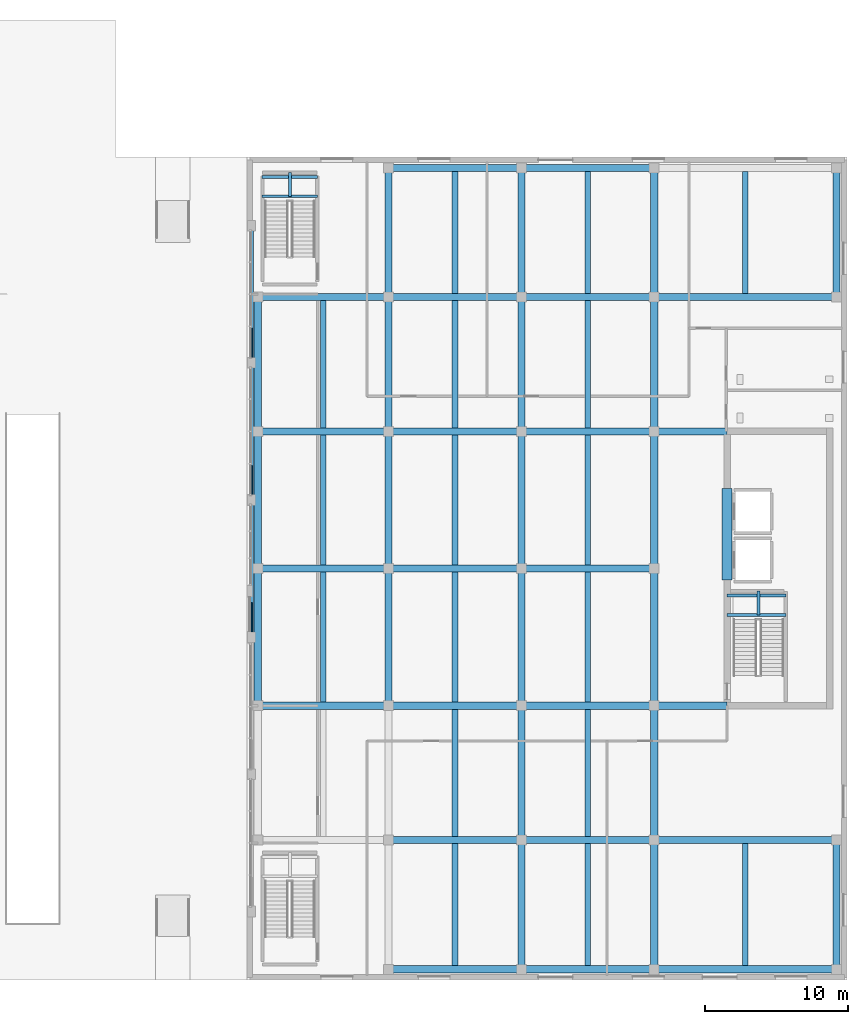
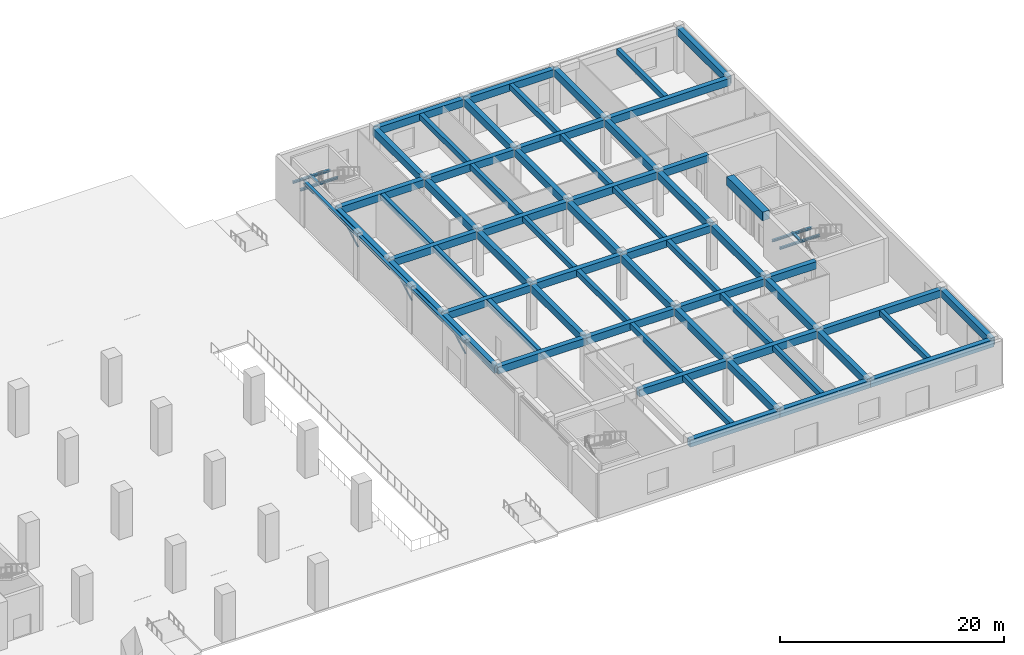
# One storey, part 2 of 24: 71 beams, 3 members.
"""IFC4 building model written with IfcOpenShell, lengths in metres."""

from ifc_helpers import new_model, si_unit, direction, frame, origin, origin_2d, place, context, subcontext, project, spatial, rectangle, hollow_circle, i_section, extrude, material, material_profile, profile_set, type_object, element, save


model = new_model("IFC4")

# Units and contexts
model_context = context("Model", 3, precision=1e-05, world=origin(), true_north=direction((0.0, 1.0)))
body_context = subcontext(model_context, "Body", "Model", "MODEL_VIEW")
ifc_project = project(units=[si_unit("LENGTHUNIT", "METRE"), si_unit("AREAUNIT", "SQUARE_METRE"), si_unit("VOLUMEUNIT", "CUBIC_METRE"), si_unit("PLANEANGLEUNIT", "RADIAN"), si_unit("MASSUNIT", "GRAM", prefix="KILO")], contexts=[model_context])

# Site, building, storey
site_placement = place(None, origin())
site = spatial("IfcSite", under=ifc_project, at=site_placement, CompositionType="ELEMENT")
building_placement = place(site_placement, origin())
building = spatial("IfcBuilding", under=site, at=building_placement, Name="Norrvale University Quadrangle", CompositionType="ELEMENT")
storey_placement = place(building_placement, origin())
storey = spatial("IfcBuildingStorey", under=building, at=storey_placement, Name="L00", CompositionType="ELEMENT", Elevation=0.0)

# Beams
ifc_material_1 = material(Name="Steel 350W", Category="steel")
ifc_material_profile_1 = material_profile(ifc_material_1, i_section(OverallWidth=0.304931640625, OverallDepth=0.30810546875, WebThickness=0.010009765625, FlangeThickness=0.015380859375, FilletRadius=0.014892578125, at=origin_2d()), Name="Steel 350W")
ifc_profile_set_1 = profile_set([ifc_material_profile_1], Name="Steel 350W")
beam_type_1 = type_object("IfcBeamType", Name="Beam Canopy W310x97", PredefinedType="BEAM", material=ifc_profile_set_1)
beam_1_placement = place(storey_placement, frame((85.5, 24.0, 4.696044921875), z_axis=(0.0, 1.0, 0.0), x_axis=(-1.0, 0.0, 0.0)))
element("IfcBeam", 1, at=beam_1_placement, inside=storey, type_object=beam_type_1, Name="Library Colonnade Header Beam 03", PredefinedType="BEAM", context=body_context, shape_type="SweptSolid", body=[
    extrude(i_section(OverallWidth=0.304931640625, OverallDepth=0.30810546875, WebThickness=0.010009765625, FlangeThickness=0.015380859375, FilletRadius=0.014892578125, at=origin_2d()), origin(), (0.0, 0.0, 1.0), 9.60009765625),
])
beam_2_placement = place(storey_placement, frame((85.5, 33.60009765625, 4.696044921875), z_axis=(0.0, 1.0, 0.0), x_axis=(-1.0, 0.0, 0.0)))
element("IfcBeam", 2, at=beam_2_placement, inside=storey, type_object=beam_type_1, Name="Library Colonnade Header Beam 04", PredefinedType="BEAM", context=body_context, shape_type="SweptSolid", body=[
    extrude(i_section(OverallWidth=0.304931640625, OverallDepth=0.30810546875, WebThickness=0.010009765625, FlangeThickness=0.015380859375, FilletRadius=0.014892578125, at=origin_2d()), origin(), (0.0, 0.0, 1.0), 9.599853515625),
])
beam_3_placement = place(storey_placement, frame((85.5, 43.199951171875, 4.696044921875), z_axis=(0.0, 1.0, 0.0), x_axis=(-1.0, 0.0, 0.0)))
element("IfcBeam", 3, at=beam_3_placement, inside=storey, type_object=beam_type_1, Name="Library Colonnade Header Beam 05", PredefinedType="BEAM", context=body_context, shape_type="SweptSolid", body=[
    extrude(i_section(OverallWidth=0.304931640625, OverallDepth=0.30810546875, WebThickness=0.010009765625, FlangeThickness=0.015380859375, FilletRadius=0.014892578125, at=origin_2d()), origin(), (0.0, 0.0, 1.0), 9.60009765625),
])
ifc_material_2 = material(Name="Concrete C80/95", Category="concrete")
ifc_material_profile_2 = material_profile(ifc_material_2, rectangle(XDim=0.699951171875, YDim=0.949951171875, at=origin_2d()), Name="Concrete C80/95")
ifc_profile_set_2 = profile_set([ifc_material_profile_2], Name="Concrete C80/95")
beam_type_2 = type_object("IfcBeamType", Name="Beam Core Link 700x950", PredefinedType="LINTEL", material=ifc_profile_set_2)
beam_4_placement = place(storey_placement, frame((118.800048828125, 28.0, 4.375), z_axis=(0.0, 1.0, 0.0), x_axis=(-1.0, 0.0, 0.0)))
element("IfcBeam", 4, at=beam_4_placement, inside=storey, type_object=beam_type_2, Name="Library Core Coupling Lintel L00", PredefinedType="LINTEL", context=body_context, shape_type="SweptSolid", body=[
    extrude(rectangle(XDim=0.699951171875, YDim=0.949951171875, at=origin_2d()), origin(), (0.0, 0.0, 1.0), 6.39990234375),
])
ifc_material_3 = material(Name="Concrete C60/75", Category="concrete")
ifc_material_profile_3 = material_profile(ifc_material_3, rectangle(XDim=0.39990234375, YDim=0.60009765625, at=origin_2d()), Name="Concrete C60/75")
ifc_profile_set_3 = profile_set([ifc_material_profile_3], Name="Concrete C60/75")
beam_type_3 = type_object("IfcBeamType", Name="Beam Lib 400x600", PredefinedType="JOIST", material=ifc_profile_set_3)
beam_5_placement = place(storey_placement, frame((90.52490234375, 19.449951171875, 4.550048828125), z_axis=(0.0, 1.0, 0.0), x_axis=(-1.0, 0.0, 0.0)))
element("IfcBeam", 5, at=beam_5_placement, inside=storey, type_object=beam_type_3, Name="Beam Lib 400x600 BM-L00-LJ049", PredefinedType="JOIST", context=body_context, shape_type="SweptSolid", body=[
    extrude(rectangle(XDim=0.39990234375, YDim=0.60009765625, at=origin_2d()), origin(), (0.0, 0.0, 1.0), 9.10009765625),
])
beam_6_placement = place(storey_placement, frame((90.52490234375, 29.050048828125, 4.550048828125), z_axis=(0.0, 1.0, 0.0), x_axis=(-1.0, 0.0, 0.0)))
element("IfcBeam", 6, at=beam_6_placement, inside=storey, type_object=beam_type_3, Name="Beam Lib 400x600 BM-L00-LJ050", PredefinedType="JOIST", context=body_context, shape_type="SweptSolid", body=[
    extrude(rectangle(XDim=0.39990234375, YDim=0.60009765625, at=origin_2d()), origin(), (0.0, 0.0, 1.0), 9.099853515625),
])
beam_7_placement = place(storey_placement, frame((90.52490234375, 38.64990234375, 4.550048828125), z_axis=(0.0, 1.0, 0.0), x_axis=(-1.0, 0.0, 0.0)))
element("IfcBeam", 7, at=beam_7_placement, inside=storey, type_object=beam_type_3, Name="Beam Lib 400x600 BM-L00-LJ051", PredefinedType="JOIST", context=body_context, shape_type="SweptSolid", body=[
    extrude(rectangle(XDim=0.39990234375, YDim=0.60009765625, at=origin_2d()), origin(), (0.0, 0.0, 1.0), 8.900146484375),
])
beam_8_placement = place(storey_placement, frame((99.75, 1.0, 4.550048828125), z_axis=(0.0, 1.0, 0.0), x_axis=(-1.0, 0.0, 0.0)))
element("IfcBeam", 8, at=beam_8_placement, inside=storey, type_object=beam_type_3, Name="Beam Lib 400x600 BM-L00-LJ052", PredefinedType="JOIST", context=body_context, shape_type="SweptSolid", body=[
    extrude(rectangle(XDim=0.39990234375, YDim=0.60009765625, at=origin_2d()), origin(), (0.0, 0.0, 1.0), 8.550048828125),
])
beam_9_placement = place(storey_placement, frame((99.75, 10.050048828125, 4.550048828125), z_axis=(0.0, 1.0, 0.0), x_axis=(-1.0, 0.0, 0.0)))
element("IfcBeam", 9, at=beam_9_placement, inside=storey, type_object=beam_type_3, Name="Beam Lib 400x600 BM-L00-LJ053", PredefinedType="JOIST", context=body_context, shape_type="SweptSolid", body=[
    extrude(rectangle(XDim=0.39990234375, YDim=0.60009765625, at=origin_2d()), origin(), (0.0, 0.0, 1.0), 8.89990234375),
])
beam_10_placement = place(storey_placement, frame((99.75, 19.449951171875, 4.550048828125), z_axis=(0.0, 1.0, 0.0), x_axis=(-1.0, 0.0, 0.0)))
element("IfcBeam", 10, at=beam_10_placement, inside=storey, type_object=beam_type_3, Name="Beam Lib 400x600 BM-L00-LJ054", PredefinedType="JOIST", context=body_context, shape_type="SweptSolid", body=[
    extrude(rectangle(XDim=0.39990234375, YDim=0.60009765625, at=origin_2d()), origin(), (0.0, 0.0, 1.0), 9.10009765625),
])
beam_11_placement = place(storey_placement, frame((99.75, 29.050048828125, 4.550048828125), z_axis=(0.0, 1.0, 0.0), x_axis=(-1.0, 0.0, 0.0)))
element("IfcBeam", 11, at=beam_11_placement, inside=storey, type_object=beam_type_3, Name="Beam Lib 400x600 BM-L00-LJ055", PredefinedType="JOIST", context=body_context, shape_type="SweptSolid", body=[
    extrude(rectangle(XDim=0.39990234375, YDim=0.60009765625, at=origin_2d()), origin(), (0.0, 0.0, 1.0), 9.099853515625),
])
beam_12_placement = place(storey_placement, frame((99.75, 38.64990234375, 4.550048828125), z_axis=(0.0, 1.0, 0.0), x_axis=(-1.0, 0.0, 0.0)))
element("IfcBeam", 12, at=beam_12_placement, inside=storey, type_object=beam_type_3, Name="Beam Lib 400x600 BM-L00-LJ056", PredefinedType="JOIST", context=body_context, shape_type="SweptSolid", body=[
    extrude(rectangle(XDim=0.39990234375, YDim=0.60009765625, at=origin_2d()), origin(), (0.0, 0.0, 1.0), 8.900146484375),
])
for number, where, z_axis, x_axis, name in (
    (13, (99.75, 48.050048828125, 4.550048828125), (0.0, 1.0, 0.0), (-1.0, 0.0, 0.0), "Beam Lib 400x600 BM-L00-LJ057"),
    (14, (109.050048828125, 1.0, 4.550048828125), (0.0, 1.0, 0.0), (-1.0, 0.0, 0.0), "Beam Lib 400x600 BM-L00-LJ058"),
):
    element("IfcBeam", number, at=place(storey_placement, frame(where, z_axis=z_axis, x_axis=x_axis)), inside=storey, type_object=beam_type_3, Name=name, PredefinedType="JOIST", context=body_context, shape_type="SweptSolid", body=[
        extrude(rectangle(XDim=0.39990234375, YDim=0.60009765625, at=origin_2d()), origin(), (0.0, 0.0, 1.0), 8.550048828125),
    ])
beam_13_placement = place(storey_placement, frame((109.050048828125, 10.050048828125, 4.550048828125), z_axis=(0.0, 1.0, 0.0), x_axis=(-1.0, 0.0, 0.0)))
element("IfcBeam", 15, at=beam_13_placement, inside=storey, type_object=beam_type_3, Name="Beam Lib 400x600 BM-L00-LJ059", PredefinedType="JOIST", context=body_context, shape_type="SweptSolid", body=[
    extrude(rectangle(XDim=0.39990234375, YDim=0.60009765625, at=origin_2d()), origin(), (0.0, 0.0, 1.0), 8.89990234375),
])
beam_14_placement = place(storey_placement, frame((109.050048828125, 19.449951171875, 4.550048828125), z_axis=(0.0, 1.0, 0.0), x_axis=(-1.0, 0.0, 0.0)))
element("IfcBeam", 16, at=beam_14_placement, inside=storey, type_object=beam_type_3, Name="Beam Lib 400x600 BM-L00-LJ060", PredefinedType="JOIST", context=body_context, shape_type="SweptSolid", body=[
    extrude(rectangle(XDim=0.39990234375, YDim=0.60009765625, at=origin_2d()), origin(), (0.0, 0.0, 1.0), 9.10009765625),
])
beam_15_placement = place(storey_placement, frame((109.050048828125, 29.050048828125, 4.550048828125), z_axis=(0.0, 1.0, 0.0), x_axis=(-1.0, 0.0, 0.0)))
element("IfcBeam", 17, at=beam_15_placement, inside=storey, type_object=beam_type_3, Name="Beam Lib 400x600 BM-L00-LJ061", PredefinedType="JOIST", context=body_context, shape_type="SweptSolid", body=[
    extrude(rectangle(XDim=0.39990234375, YDim=0.60009765625, at=origin_2d()), origin(), (0.0, 0.0, 1.0), 9.099853515625),
])
beam_16_placement = place(storey_placement, frame((109.050048828125, 38.64990234375, 4.550048828125), z_axis=(0.0, 1.0, 0.0), x_axis=(-1.0, 0.0, 0.0)))
element("IfcBeam", 18, at=beam_16_placement, inside=storey, type_object=beam_type_3, Name="Beam Lib 400x600 BM-L00-LJ062", PredefinedType="JOIST", context=body_context, shape_type="SweptSolid", body=[
    extrude(rectangle(XDim=0.39990234375, YDim=0.60009765625, at=origin_2d()), origin(), (0.0, 0.0, 1.0), 8.900146484375),
])
for number, where, z_axis, x_axis, name in (
    (19, (109.050048828125, 48.050048828125, 4.550048828125), (0.0, 1.0, 0.0), (-1.0, 0.0, 0.0), "Beam Lib 400x600 BM-L00-LJ063"),
    (20, (120.074951171875, 1.0, 4.550048828125), (0.0, 1.0, 0.0), (-1.0, 0.0, 0.0), "Beam Lib 400x600 BM-L00-LJ064"),
    (21, (120.074951171875, 48.050048828125, 4.550048828125), (0.0, 1.0, 0.0), (-1.0, 0.0, 0.0), "Beam Lib 400x600 BM-L00-LJ065"),
):
    element("IfcBeam", number, at=place(storey_placement, frame(where, z_axis=z_axis, x_axis=x_axis)), inside=storey, type_object=beam_type_3, Name=name, PredefinedType="JOIST", context=body_context, shape_type="SweptSolid", body=[
        extrude(rectangle(XDim=0.39990234375, YDim=0.60009765625, at=origin_2d()), origin(), (0.0, 0.0, 1.0), 8.550048828125),
    ])
ifc_material_profile_4 = material_profile(ifc_material_3, rectangle(XDim=0.5, YDim=0.800048828125, at=origin_2d()), Name="Concrete C60/75")
ifc_profile_set_4 = profile_set([ifc_material_profile_4], Name="Concrete C60/75")
beam_type_4 = type_object("IfcBeamType", Name="Beam Lib 500x800", PredefinedType="BEAM", material=ifc_profile_set_4)
beam_17_placement = place(storey_placement, frame((95.10009765625, 0.75, 4.449951171875), z_axis=(1.0, 0.0, 0.0), x_axis=(0.0, 1.0, 0.0)))
element("IfcBeam", 22, at=beam_17_placement, inside=storey, type_object=beam_type_4, Name="Beam Lib 500x800 BM-L00-LGX001", PredefinedType="BEAM", context=body_context, shape_type="SweptSolid", body=[
    extrude(rectangle(XDim=0.5, YDim=0.800048828125, at=origin_2d()), origin(), (0.0, 0.0, 1.0), 9.2998046875),
])
beam_18_placement = place(storey_placement, frame((104.39990234375, 0.75, 4.449951171875), z_axis=(1.0, 0.0, 0.0), x_axis=(0.0, 1.0, 0.0)))
element("IfcBeam", 23, at=beam_18_placement, inside=storey, type_object=beam_type_4, Name="Beam Lib 500x800 BM-L00-LGX002", PredefinedType="BEAM", context=body_context, shape_type="SweptSolid", body=[
    extrude(rectangle(XDim=0.5, YDim=0.800048828125, at=origin_2d()), origin(), (0.0, 0.0, 1.0), 9.300048828125),
])
beam_19_placement = place(storey_placement, frame((113.699951171875, 0.75, 4.449951171875), z_axis=(1.0, 0.0, 0.0), x_axis=(0.0, 1.0, 0.0)))
element("IfcBeam", 24, at=beam_19_placement, inside=storey, type_object=beam_type_4, Name="Beam Lib 500x800 BM-L00-LGX003", PredefinedType="BEAM", context=body_context, shape_type="SweptSolid", body=[
    extrude(rectangle(XDim=0.5, YDim=0.800048828125, at=origin_2d()), origin(), (0.0, 0.0, 1.0), 12.75),
])
beam_20_placement = place(storey_placement, frame((95.10009765625, 9.800048828125, 4.449951171875), z_axis=(1.0, 0.0, 0.0), x_axis=(0.0, 1.0, 0.0)))
element("IfcBeam", 25, at=beam_20_placement, inside=storey, type_object=beam_type_4, Name="Beam Lib 500x800 BM-L00-LGX005", PredefinedType="BEAM", context=body_context, shape_type="SweptSolid", body=[
    extrude(rectangle(XDim=0.5, YDim=0.800048828125, at=origin_2d()), origin(), (0.0, 0.0, 1.0), 9.2998046875),
])
beam_21_placement = place(storey_placement, frame((104.39990234375, 9.800048828125, 4.449951171875), z_axis=(1.0, 0.0, 0.0), x_axis=(0.0, 1.0, 0.0)))
element("IfcBeam", 26, at=beam_21_placement, inside=storey, type_object=beam_type_4, Name="Beam Lib 500x800 BM-L00-LGX006", PredefinedType="BEAM", context=body_context, shape_type="SweptSolid", body=[
    extrude(rectangle(XDim=0.5, YDim=0.800048828125, at=origin_2d()), origin(), (0.0, 0.0, 1.0), 9.300048828125),
])
beam_22_placement = place(storey_placement, frame((113.699951171875, 9.800048828125, 4.449951171875), z_axis=(1.0, 0.0, 0.0), x_axis=(0.0, 1.0, 0.0)))
element("IfcBeam", 27, at=beam_22_placement, inside=storey, type_object=beam_type_4, Name="Beam Lib 500x800 BM-L00-LGX007", PredefinedType="BEAM", context=body_context, shape_type="SweptSolid", body=[
    extrude(rectangle(XDim=0.5, YDim=0.800048828125, at=origin_2d()), origin(), (0.0, 0.0, 1.0), 12.75),
])
beam_23_placement = place(storey_placement, frame((85.949951171875, 19.199951171875, 4.449951171875), z_axis=(1.0, 0.0, 0.0), x_axis=(0.0, 1.0, 0.0)))
element("IfcBeam", 28, at=beam_23_placement, inside=storey, type_object=beam_type_4, Name="Beam Lib 500x800 BM-L00-LGX008", PredefinedType="BEAM", context=body_context, shape_type="SweptSolid", body=[
    extrude(rectangle(XDim=0.5, YDim=0.800048828125, at=origin_2d()), origin(), (0.0, 0.0, 1.0), 9.150146484375),
])
beam_24_placement = place(storey_placement, frame((95.10009765625, 19.199951171875, 4.449951171875), z_axis=(1.0, 0.0, 0.0), x_axis=(0.0, 1.0, 0.0)))
element("IfcBeam", 29, at=beam_24_placement, inside=storey, type_object=beam_type_4, Name="Beam Lib 500x800 BM-L00-LGX009", PredefinedType="BEAM", context=body_context, shape_type="SweptSolid", body=[
    extrude(rectangle(XDim=0.5, YDim=0.800048828125, at=origin_2d()), origin(), (0.0, 0.0, 1.0), 9.2998046875),
])
beam_25_placement = place(storey_placement, frame((104.39990234375, 19.199951171875, 4.449951171875), z_axis=(1.0, 0.0, 0.0), x_axis=(0.0, 1.0, 0.0)))
element("IfcBeam", 30, at=beam_25_placement, inside=storey, type_object=beam_type_4, Name="Beam Lib 500x800 BM-L00-LGX010", PredefinedType="BEAM", context=body_context, shape_type="SweptSolid", body=[
    extrude(rectangle(XDim=0.5, YDim=0.800048828125, at=origin_2d()), origin(), (0.0, 0.0, 1.0), 9.300048828125),
])
beam_26_placement = place(storey_placement, frame((85.949951171875, 28.800048828125, 4.449951171875), z_axis=(1.0, 0.0, 0.0), x_axis=(0.0, 1.0, 0.0)))
element("IfcBeam", 31, at=beam_26_placement, inside=storey, type_object=beam_type_4, Name="Beam Lib 500x800 BM-L00-LGX011", PredefinedType="BEAM", context=body_context, shape_type="SweptSolid", body=[
    extrude(rectangle(XDim=0.5, YDim=0.800048828125, at=origin_2d()), origin(), (0.0, 0.0, 1.0), 9.150146484375),
])
beam_27_placement = place(storey_placement, frame((95.10009765625, 28.800048828125, 4.449951171875), z_axis=(1.0, 0.0, 0.0), x_axis=(0.0, 1.0, 0.0)))
element("IfcBeam", 32, at=beam_27_placement, inside=storey, type_object=beam_type_4, Name="Beam Lib 500x800 BM-L00-LGX012", PredefinedType="BEAM", context=body_context, shape_type="SweptSolid", body=[
    extrude(rectangle(XDim=0.5, YDim=0.800048828125, at=origin_2d()), origin(), (0.0, 0.0, 1.0), 9.2998046875),
])
beam_28_placement = place(storey_placement, frame((104.39990234375, 28.800048828125, 4.449951171875), z_axis=(1.0, 0.0, 0.0), x_axis=(0.0, 1.0, 0.0)))
element("IfcBeam", 33, at=beam_28_placement, inside=storey, type_object=beam_type_4, Name="Beam Lib 500x800 BM-L00-LGX013", PredefinedType="BEAM", context=body_context, shape_type="SweptSolid", body=[
    extrude(rectangle(XDim=0.5, YDim=0.800048828125, at=origin_2d()), origin(), (0.0, 0.0, 1.0), 9.300048828125),
])
beam_29_placement = place(storey_placement, frame((85.949951171875, 38.39990234375, 4.449951171875), z_axis=(1.0, 0.0, 0.0), x_axis=(0.0, 1.0, 0.0)))
element("IfcBeam", 34, at=beam_29_placement, inside=storey, type_object=beam_type_4, Name="Beam Lib 500x800 BM-L00-LGX014", PredefinedType="BEAM", context=body_context, shape_type="SweptSolid", body=[
    extrude(rectangle(XDim=0.5, YDim=0.800048828125, at=origin_2d()), origin(), (0.0, 0.0, 1.0), 9.150146484375),
])
beam_30_placement = place(storey_placement, frame((95.10009765625, 38.39990234375, 4.449951171875), z_axis=(1.0, 0.0, 0.0), x_axis=(0.0, 1.0, 0.0)))
element("IfcBeam", 35, at=beam_30_placement, inside=storey, type_object=beam_type_4, Name="Beam Lib 500x800 BM-L00-LGX015", PredefinedType="BEAM", context=body_context, shape_type="SweptSolid", body=[
    extrude(rectangle(XDim=0.5, YDim=0.800048828125, at=origin_2d()), origin(), (0.0, 0.0, 1.0), 9.2998046875),
])
beam_31_placement = place(storey_placement, frame((104.39990234375, 38.39990234375, 4.449951171875), z_axis=(1.0, 0.0, 0.0), x_axis=(0.0, 1.0, 0.0)))
element("IfcBeam", 36, at=beam_31_placement, inside=storey, type_object=beam_type_4, Name="Beam Lib 500x800 BM-L00-LGX016", PredefinedType="BEAM", context=body_context, shape_type="SweptSolid", body=[
    extrude(rectangle(XDim=0.5, YDim=0.800048828125, at=origin_2d()), origin(), (0.0, 0.0, 1.0), 9.300048828125),
])
beam_32_placement = place(storey_placement, frame((85.949951171875, 47.800048828125, 4.449951171875), z_axis=(1.0, 0.0, 0.0), x_axis=(0.0, 1.0, 0.0)))
element("IfcBeam", 37, at=beam_32_placement, inside=storey, type_object=beam_type_4, Name="Beam Lib 500x800 BM-L00-LGX017", PredefinedType="BEAM", context=body_context, shape_type="SweptSolid", body=[
    extrude(rectangle(XDim=0.5, YDim=0.800048828125, at=origin_2d()), origin(), (0.0, 0.0, 1.0), 9.150146484375),
])
beam_33_placement = place(storey_placement, frame((95.10009765625, 47.800048828125, 4.449951171875), z_axis=(1.0, 0.0, 0.0), x_axis=(0.0, 1.0, 0.0)))
element("IfcBeam", 38, at=beam_33_placement, inside=storey, type_object=beam_type_4, Name="Beam Lib 500x800 BM-L00-LGX018", PredefinedType="BEAM", context=body_context, shape_type="SweptSolid", body=[
    extrude(rectangle(XDim=0.5, YDim=0.800048828125, at=origin_2d()), origin(), (0.0, 0.0, 1.0), 9.2998046875),
])
beam_34_placement = place(storey_placement, frame((104.39990234375, 47.800048828125, 4.449951171875), z_axis=(1.0, 0.0, 0.0), x_axis=(0.0, 1.0, 0.0)))
element("IfcBeam", 39, at=beam_34_placement, inside=storey, type_object=beam_type_4, Name="Beam Lib 500x800 BM-L00-LGX019", PredefinedType="BEAM", context=body_context, shape_type="SweptSolid", body=[
    extrude(rectangle(XDim=0.5, YDim=0.800048828125, at=origin_2d()), origin(), (0.0, 0.0, 1.0), 9.300048828125),
])
beam_35_placement = place(storey_placement, frame((113.699951171875, 47.800048828125, 4.449951171875), z_axis=(1.0, 0.0, 0.0), x_axis=(0.0, 1.0, 0.0)))
element("IfcBeam", 40, at=beam_35_placement, inside=storey, type_object=beam_type_4, Name="Beam Lib 500x800 BM-L00-LGX020", PredefinedType="BEAM", context=body_context, shape_type="SweptSolid", body=[
    extrude(rectangle(XDim=0.5, YDim=0.800048828125, at=origin_2d()), origin(), (0.0, 0.0, 1.0), 12.75),
])
beam_36_placement = place(storey_placement, frame((95.10009765625, 56.85009765625, 4.449951171875), z_axis=(1.0, 0.0, 0.0), x_axis=(0.0, 1.0, 0.0)))
element("IfcBeam", 41, at=beam_36_placement, inside=storey, type_object=beam_type_4, Name="Beam Lib 500x800 BM-L00-LGX021", PredefinedType="BEAM", context=body_context, shape_type="SweptSolid", body=[
    extrude(rectangle(XDim=0.5, YDim=0.800048828125, at=origin_2d()), origin(), (0.0, 0.0, 1.0), 9.2998046875),
])
beam_37_placement = place(storey_placement, frame((104.39990234375, 56.85009765625, 4.449951171875), z_axis=(1.0, 0.0, 0.0), x_axis=(0.0, 1.0, 0.0)))
element("IfcBeam", 42, at=beam_37_placement, inside=storey, type_object=beam_type_4, Name="Beam Lib 500x800 BM-L00-LGX022", PredefinedType="BEAM", context=body_context, shape_type="SweptSolid", body=[
    extrude(rectangle(XDim=0.5, YDim=0.800048828125, at=origin_2d()), origin(), (0.0, 0.0, 1.0), 9.300048828125),
])
beam_38_placement = place(storey_placement, frame((85.949951171875, 19.199951171875, 4.449951171875), z_axis=(0.0, 1.0, 0.0), x_axis=(-1.0, 0.0, 0.0)))
element("IfcBeam", 43, at=beam_38_placement, inside=storey, type_object=beam_type_4, Name="Beam Lib 500x800 BM-L00-LGY025", PredefinedType="BEAM", context=body_context, shape_type="SweptSolid", body=[
    extrude(rectangle(XDim=0.5, YDim=0.800048828125, at=origin_2d()), origin(), (0.0, 0.0, 1.0), 9.60009765625),
])
beam_39_placement = place(storey_placement, frame((85.949951171875, 28.800048828125, 4.449951171875), z_axis=(0.0, 1.0, 0.0), x_axis=(-1.0, 0.0, 0.0)))
element("IfcBeam", 44, at=beam_39_placement, inside=storey, type_object=beam_type_4, Name="Beam Lib 500x800 BM-L00-LGY026", PredefinedType="BEAM", context=body_context, shape_type="SweptSolid", body=[
    extrude(rectangle(XDim=0.5, YDim=0.800048828125, at=origin_2d()), origin(), (0.0, 0.0, 1.0), 9.599853515625),
])
beam_40_placement = place(storey_placement, frame((85.949951171875, 38.39990234375, 4.449951171875), z_axis=(0.0, 1.0, 0.0), x_axis=(-1.0, 0.0, 0.0)))
element("IfcBeam", 45, at=beam_40_placement, inside=storey, type_object=beam_type_4, Name="Beam Lib 500x800 BM-L00-LGY027", PredefinedType="BEAM", context=body_context, shape_type="SweptSolid", body=[
    extrude(rectangle(XDim=0.5, YDim=0.800048828125, at=origin_2d()), origin(), (0.0, 0.0, 1.0), 9.400146484375),
])
beam_41_placement = place(storey_placement, frame((95.10009765625, 19.199951171875, 4.449951171875), z_axis=(0.0, 1.0, 0.0), x_axis=(-1.0, 0.0, 0.0)))
element("IfcBeam", 46, at=beam_41_placement, inside=storey, type_object=beam_type_4, Name="Beam Lib 500x800 BM-L00-LGY030", PredefinedType="BEAM", context=body_context, shape_type="SweptSolid", body=[
    extrude(rectangle(XDim=0.5, YDim=0.800048828125, at=origin_2d()), origin(), (0.0, 0.0, 1.0), 9.60009765625),
])
beam_42_placement = place(storey_placement, frame((95.10009765625, 28.800048828125, 4.449951171875), z_axis=(0.0, 1.0, 0.0), x_axis=(-1.0, 0.0, 0.0)))
element("IfcBeam", 47, at=beam_42_placement, inside=storey, type_object=beam_type_4, Name="Beam Lib 500x800 BM-L00-LGY031", PredefinedType="BEAM", context=body_context, shape_type="SweptSolid", body=[
    extrude(rectangle(XDim=0.5, YDim=0.800048828125, at=origin_2d()), origin(), (0.0, 0.0, 1.0), 9.599853515625),
])
beam_43_placement = place(storey_placement, frame((95.10009765625, 38.39990234375, 4.449951171875), z_axis=(0.0, 1.0, 0.0), x_axis=(-1.0, 0.0, 0.0)))
element("IfcBeam", 48, at=beam_43_placement, inside=storey, type_object=beam_type_4, Name="Beam Lib 500x800 BM-L00-LGY032", PredefinedType="BEAM", context=body_context, shape_type="SweptSolid", body=[
    extrude(rectangle(XDim=0.5, YDim=0.800048828125, at=origin_2d()), origin(), (0.0, 0.0, 1.0), 9.400146484375),
])
for number, where, z_axis, x_axis, name in (
    (49, (95.10009765625, 47.800048828125, 4.449951171875), (0.0, 1.0, 0.0), (-1.0, 0.0, 0.0), "Beam Lib 500x800 BM-L00-LGY033"),
    (50, (104.39990234375, 0.75, 4.449951171875), (0.0, 1.0, 0.0), (-1.0, 0.0, 0.0), "Beam Lib 500x800 BM-L00-LGY034"),
):
    element("IfcBeam", number, at=place(storey_placement, frame(where, z_axis=z_axis, x_axis=x_axis)), inside=storey, type_object=beam_type_4, Name=name, PredefinedType="BEAM", context=body_context, shape_type="SweptSolid", body=[
        extrude(rectangle(XDim=0.5, YDim=0.800048828125, at=origin_2d()), origin(), (0.0, 0.0, 1.0), 9.050048828125),
    ])
beam_44_placement = place(storey_placement, frame((104.39990234375, 9.800048828125, 4.449951171875), z_axis=(0.0, 1.0, 0.0), x_axis=(-1.0, 0.0, 0.0)))
element("IfcBeam", 51, at=beam_44_placement, inside=storey, type_object=beam_type_4, Name="Beam Lib 500x800 BM-L00-LGY035", PredefinedType="BEAM", context=body_context, shape_type="SweptSolid", body=[
    extrude(rectangle(XDim=0.5, YDim=0.800048828125, at=origin_2d()), origin(), (0.0, 0.0, 1.0), 9.39990234375),
])
beam_45_placement = place(storey_placement, frame((104.39990234375, 19.199951171875, 4.449951171875), z_axis=(0.0, 1.0, 0.0), x_axis=(-1.0, 0.0, 0.0)))
element("IfcBeam", 52, at=beam_45_placement, inside=storey, type_object=beam_type_4, Name="Beam Lib 500x800 BM-L00-LGY036", PredefinedType="BEAM", context=body_context, shape_type="SweptSolid", body=[
    extrude(rectangle(XDim=0.5, YDim=0.800048828125, at=origin_2d()), origin(), (0.0, 0.0, 1.0), 9.60009765625),
])
beam_46_placement = place(storey_placement, frame((104.39990234375, 28.800048828125, 4.449951171875), z_axis=(0.0, 1.0, 0.0), x_axis=(-1.0, 0.0, 0.0)))
element("IfcBeam", 53, at=beam_46_placement, inside=storey, type_object=beam_type_4, Name="Beam Lib 500x800 BM-L00-LGY037", PredefinedType="BEAM", context=body_context, shape_type="SweptSolid", body=[
    extrude(rectangle(XDim=0.5, YDim=0.800048828125, at=origin_2d()), origin(), (0.0, 0.0, 1.0), 9.599853515625),
])
beam_47_placement = place(storey_placement, frame((104.39990234375, 38.39990234375, 4.449951171875), z_axis=(0.0, 1.0, 0.0), x_axis=(-1.0, 0.0, 0.0)))
element("IfcBeam", 54, at=beam_47_placement, inside=storey, type_object=beam_type_4, Name="Beam Lib 500x800 BM-L00-LGY038", PredefinedType="BEAM", context=body_context, shape_type="SweptSolid", body=[
    extrude(rectangle(XDim=0.5, YDim=0.800048828125, at=origin_2d()), origin(), (0.0, 0.0, 1.0), 9.400146484375),
])
for number, where, z_axis, x_axis, name in (
    (55, (104.39990234375, 47.800048828125, 4.449951171875), (0.0, 1.0, 0.0), (-1.0, 0.0, 0.0), "Beam Lib 500x800 BM-L00-LGY039"),
    (56, (113.699951171875, 0.75, 4.449951171875), (0.0, 1.0, 0.0), (-1.0, 0.0, 0.0), "Beam Lib 500x800 BM-L00-LGY040"),
):
    element("IfcBeam", number, at=place(storey_placement, frame(where, z_axis=z_axis, x_axis=x_axis)), inside=storey, type_object=beam_type_4, Name=name, PredefinedType="BEAM", context=body_context, shape_type="SweptSolid", body=[
        extrude(rectangle(XDim=0.5, YDim=0.800048828125, at=origin_2d()), origin(), (0.0, 0.0, 1.0), 9.050048828125),
    ])
beam_48_placement = place(storey_placement, frame((113.699951171875, 9.800048828125, 4.449951171875), z_axis=(0.0, 1.0, 0.0), x_axis=(-1.0, 0.0, 0.0)))
element("IfcBeam", 57, at=beam_48_placement, inside=storey, type_object=beam_type_4, Name="Beam Lib 500x800 BM-L00-LGY041", PredefinedType="BEAM", context=body_context, shape_type="SweptSolid", body=[
    extrude(rectangle(XDim=0.5, YDim=0.800048828125, at=origin_2d()), origin(), (0.0, 0.0, 1.0), 9.39990234375),
])
beam_49_placement = place(storey_placement, frame((113.699951171875, 19.199951171875, 4.449951171875), z_axis=(0.0, 1.0, 0.0), x_axis=(-1.0, 0.0, 0.0)))
element("IfcBeam", 58, at=beam_49_placement, inside=storey, type_object=beam_type_4, Name="Beam Lib 500x800 BM-L00-LGY042", PredefinedType="BEAM", context=body_context, shape_type="SweptSolid", body=[
    extrude(rectangle(XDim=0.5, YDim=0.800048828125, at=origin_2d()), origin(), (0.0, 0.0, 1.0), 9.60009765625),
])
beam_50_placement = place(storey_placement, frame((113.699951171875, 28.800048828125, 4.449951171875), z_axis=(0.0, 1.0, 0.0), x_axis=(-1.0, 0.0, 0.0)))
element("IfcBeam", 59, at=beam_50_placement, inside=storey, type_object=beam_type_4, Name="Beam Lib 500x800 BM-L00-LGY043", PredefinedType="BEAM", context=body_context, shape_type="SweptSolid", body=[
    extrude(rectangle(XDim=0.5, YDim=0.800048828125, at=origin_2d()), origin(), (0.0, 0.0, 1.0), 9.599853515625),
])
beam_51_placement = place(storey_placement, frame((113.699951171875, 38.39990234375, 4.449951171875), z_axis=(0.0, 1.0, 0.0), x_axis=(-1.0, 0.0, 0.0)))
element("IfcBeam", 60, at=beam_51_placement, inside=storey, type_object=beam_type_4, Name="Beam Lib 500x800 BM-L00-LGY044", PredefinedType="BEAM", context=body_context, shape_type="SweptSolid", body=[
    extrude(rectangle(XDim=0.5, YDim=0.800048828125, at=origin_2d()), origin(), (0.0, 0.0, 1.0), 9.400146484375),
])
for number, where, z_axis, x_axis, name in (
    (61, (113.699951171875, 47.800048828125, 4.449951171875), (0.0, 1.0, 0.0), (-1.0, 0.0, 0.0), "Beam Lib 500x800 BM-L00-LGY045"),
    (62, (126.449951171875, 0.75, 4.449951171875), (0.0, 1.0, 0.0), (-1.0, 0.0, 0.0), "Beam Lib 500x800 BM-L00-LGY046"),
    (63, (126.449951171875, 47.800048828125, 4.449951171875), (0.0, 1.0, 0.0), (-1.0, 0.0, 0.0), "Beam Lib 500x800 BM-L00-LGY047"),
):
    element("IfcBeam", number, at=place(storey_placement, frame(where, z_axis=z_axis, x_axis=x_axis)), inside=storey, type_object=beam_type_4, Name=name, PredefinedType="BEAM", context=body_context, shape_type="SweptSolid", body=[
        extrude(rectangle(XDim=0.5, YDim=0.800048828125, at=origin_2d()), origin(), (0.0, 0.0, 1.0), 9.050048828125),
    ])
for number, where, z_axis, x_axis, name in (
    (64, (113.699951171875, 19.199951171875, 4.449951171875), (1.0, 0.0, 0.0), (0.0, 1.0, 0.0), "Beam Lib 500x800 BM-L00-LCTIE066"),
    (65, (113.699951171875, 38.39990234375, 4.449951171875), (1.0, 0.0, 0.0), (0.0, 1.0, 0.0), "Beam Lib 500x800 BM-L00-LCTIE067"),
):
    element("IfcBeam", number, at=place(storey_placement, frame(where, z_axis=z_axis, x_axis=x_axis)), inside=storey, type_object=beam_type_4, Name=name, PredefinedType="BEAM", context=body_context, shape_type="SweptSolid", body=[
        extrude(rectangle(XDim=0.5, YDim=0.800048828125, at=origin_2d()), origin(), (0.0, 0.0, 1.0), 5.10009765625),
    ])
ifc_material_profile_5 = material_profile(ifc_material_1, i_section(OverallWidth=0.201904296875, OverallDepth=0.2470703125, WebThickness=0.00732421875, FlangeThickness=0.010986328125, FilletRadius=0.011962890625, at=origin_2d()), Name="Steel 350W")
ifc_profile_set_5 = profile_set([ifc_material_profile_5], Name="Steel 350W")
beam_type_5 = type_object("IfcBeamType", Name="Beam Stair W250x49", PredefinedType="BEAM", material=ifc_profile_set_5)
for number, where, z_axis, x_axis, name in (
    (66, (118.800048828125, 25.56005859375, 2.276611328125), (1.0, 0.0, 0.0), (0.0, 1.0, 0.0), "Stair Mid-Landing Front Beam ST-L1 L00"),
    (67, (118.800048828125, 26.919921875, 2.276611328125), (1.0, 0.0, 0.0), (0.0, 1.0, 0.0), "Stair Mid-Landing Rear Beam ST-L1 L00"),
):
    element("IfcBeam", number, at=place(storey_placement, frame(where, z_axis=z_axis, x_axis=x_axis)), inside=storey, type_object=beam_type_5, Name=name, PredefinedType="BEAM", context=body_context, shape_type="SweptSolid", body=[
        extrude(i_section(OverallWidth=0.201904296875, OverallDepth=0.2470703125, WebThickness=0.00732421875, FlangeThickness=0.010986328125, FilletRadius=0.011962890625, at=origin_2d()), origin(), (0.0, 0.0, 1.0), 4.139892578125),
    ])
for number, where, z_axis, x_axis, name in (
    (68, (86.260009765625, 54.860107421875, 2.276611328125), (1.0, 0.0, 0.0), (0.0, 1.0, 0.0), "Stair Mid-Landing Front Beam ST-L3 L00"),
    (69, (86.260009765625, 56.219970703125, 2.276611328125), (1.0, 0.0, 0.0), (0.0, 1.0, 0.0), "Stair Mid-Landing Rear Beam ST-L3 L00"),
):
    element("IfcBeam", number, at=place(storey_placement, frame(where, z_axis=z_axis, x_axis=x_axis)), inside=storey, type_object=beam_type_5, Name=name, PredefinedType="BEAM", context=body_context, shape_type="SweptSolid", body=[
        extrude(i_section(OverallWidth=0.201904296875, OverallDepth=0.2470703125, WebThickness=0.00732421875, FlangeThickness=0.010986328125, FilletRadius=0.011962890625, at=origin_2d()), origin(), (0.0, 0.0, 1.0), 3.8798828125),
    ])
ifc_material_profile_6 = material_profile(ifc_material_1, i_section(OverallWidth=0.202880859375, OverallDepth=0.202880859375, WebThickness=0.007080078125, FlangeThickness=0.010986328125, FilletRadius=0.010009765625, at=origin_2d()), Name="Steel 350W")
ifc_profile_set_6 = profile_set([ifc_material_profile_6], Name="Steel 350W")
beam_type_6 = type_object("IfcBeamType", Name="Beam Trim W200x46", PredefinedType="BEAM", material=ifc_profile_set_6)
for number, where, z_axis, x_axis, name in (
    (70, (121.0, 25.56005859375, 2.298583984375), (0.0, 1.0, 0.0), (-1.0, 0.0, 0.0), "Stair Mid-Landing Cross Beam ST-L1 L00"),
    (71, (88.199951171875, 54.860107421875, 2.298583984375), (0.0, 1.0, 0.0), (-1.0, 0.0, 0.0), "Stair Mid-Landing Cross Beam ST-L3 L00"),
):
    element("IfcBeam", number, at=place(storey_placement, frame(where, z_axis=z_axis, x_axis=x_axis)), inside=storey, type_object=beam_type_6, Name=name, PredefinedType="BEAM", context=body_context, shape_type="SweptSolid", body=[
        extrude(i_section(OverallWidth=0.202880859375, OverallDepth=0.202880859375, WebThickness=0.007080078125, FlangeThickness=0.010986328125, FilletRadius=0.010009765625, at=origin_2d()), origin(), (0.0, 0.0, 1.0), 1.679931640625),
    ])

# Members
ifc_material_profile_7 = material_profile(ifc_material_1, hollow_circle(Radius=0.083984375, WallThickness=0.008056640625, at=origin_2d()), Name="Steel 350W")
ifc_profile_set_7 = profile_set([ifc_material_profile_7], Name="Steel 350W")
member_type = type_object("IfcMemberType", Name="Member Canopy Strut CHS168", PredefinedType="STRUT", material=ifc_profile_set_7)
for number, where, z_axis, x_axis, name in (
    (72, (85.5, 24.0, 3.39990234375), (0.0, 0.879276357644, 0.476311963831), (-1.0, 0.0, 0.0), "Library Colonnade Arch Strut 03"),
    (73, (85.5, 33.60009765625, 3.39990234375), (0.0, 0.879276357644, 0.476311963831), (-1.0, 0.0, 0.0), "Library Colonnade Arch Strut 04"),
):
    element("IfcMember", number, at=place(storey_placement, frame(where, z_axis=z_axis, x_axis=x_axis)), inside=storey, type_object=member_type, Name=name, PredefinedType="STRUT", context=body_context, shape_type="SweptSolid", body=[
        extrude(hollow_circle(Radius=0.083984375, WallThickness=0.008056640625, at=origin_2d()), origin(), (0.0, 0.0, 1.0), 2.7294921875),
    ])
member_placement = place(storey_placement, frame((85.5, 43.199951171875, 3.39990234375), z_axis=(0.0, 0.879296648652, 0.476274504534), x_axis=(-1.0, 0.0, 0.0)))
element("IfcMember", 74, at=member_placement, inside=storey, type_object=member_type, Name="Library Colonnade Arch Strut 05", PredefinedType="STRUT", context=body_context, shape_type="SweptSolid", body=[
    extrude(hollow_circle(Radius=0.083984375, WallThickness=0.008056640625, at=origin_2d()), origin(), (0.0, 0.0, 1.0), 2.729736328125),
])

save(model, "model.ifc")
